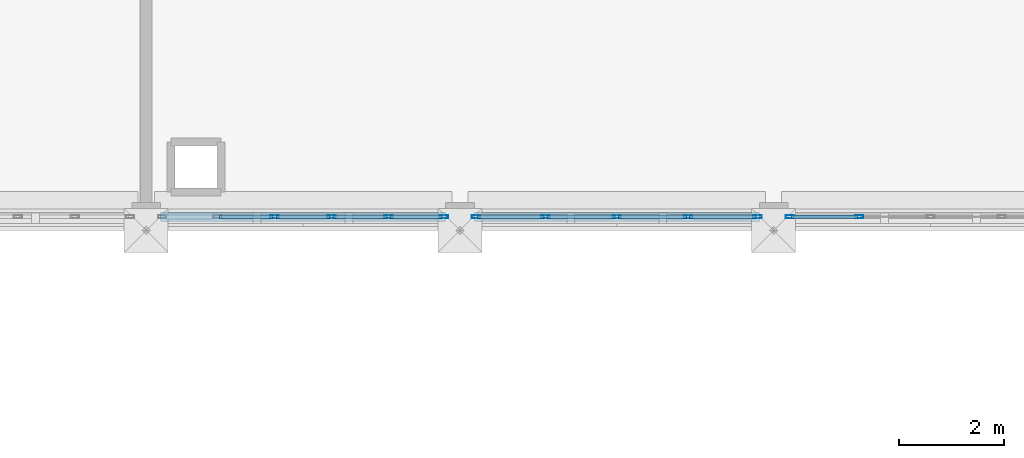
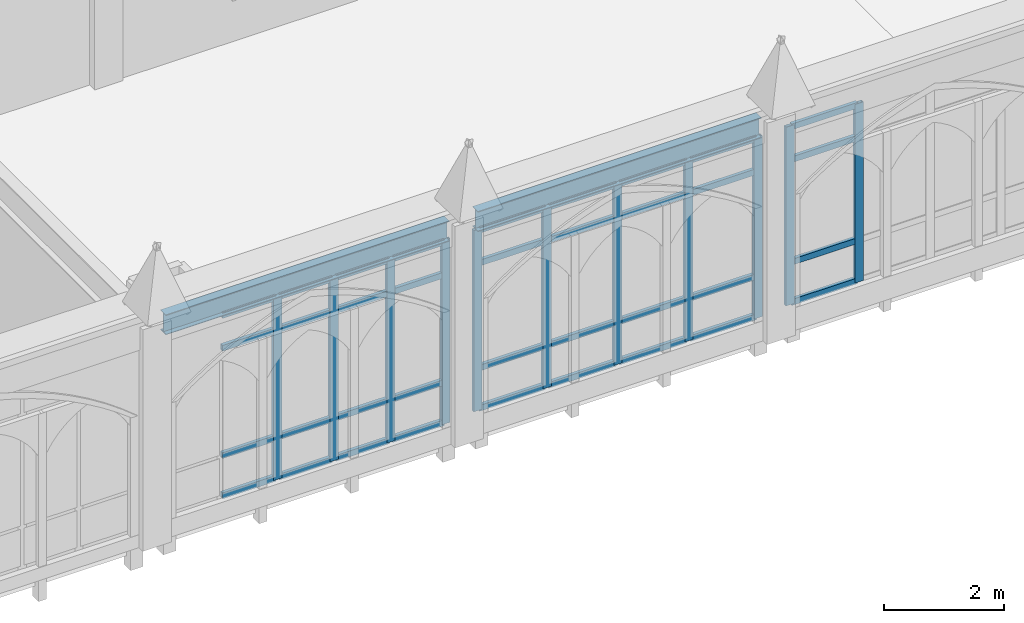
# One storey, part 52 of 108: 47 members, 2 beams, 3 elements without a shape of their own.
"""IFC4 building model written with IfcOpenShell, lengths in metres."""

from ifc_helpers import new_model, si_unit, direction, frame, origin, origin_2d, place, context, subcontext, project, spatial, hollow_rectangle, i_section, extrude, material, layer, layer_set, material_profile, profile_set, type_object, element, aggregate, save


model = new_model("IFC4")

# Units and contexts
model_context = context("Model", 3, precision=1e-05, world=origin(), true_north=direction((0.0, 1.0)))
body_context = subcontext(model_context, "Body", "Model", "MODEL_VIEW")
ifc_project = project(units=[si_unit("LENGTHUNIT", "METRE"), si_unit("AREAUNIT", "SQUARE_METRE"), si_unit("VOLUMEUNIT", "CUBIC_METRE"), si_unit("PLANEANGLEUNIT", "RADIAN"), si_unit("MASSUNIT", "GRAM", prefix="KILO")], contexts=[model_context])

# Site, building, storey
site_placement = place(None, origin())
site = spatial("IfcSite", under=ifc_project, at=site_placement, CompositionType="ELEMENT")
building_placement = place(site_placement, origin())
building = spatial("IfcBuilding", under=site, at=building_placement, Name="Cumevento Cable Car Station", CompositionType="ELEMENT")
storey_placement = place(building_placement, frame((0.0, 0.0, 13.5)))
storey = spatial("IfcBuildingStorey", under=building, at=storey_placement, Name="L04", CompositionType="ELEMENT", Elevation=13.5)

# Curtain wall, members
ifc_material_1 = material(Name="Anodised Bronze Aluminium AW-6063-T6", Category="aluminium")
ifc_layer_1 = layer(ifc_material_1, 0.18408203125)
ifc_layer_set_1 = layer_set([ifc_layer_1], Name="Anodised Bronze Aluminium AW-6063-T6")
curtain_wall_type_1 = type_object("IfcCurtainWallType", Name="Lancet Curtain Wall CW-05 1210", PredefinedType="NOTDEFINED", material=ifc_layer_set_1)
curtain_wall_1_placement = place(storey_placement, origin())
curtain_wall_1 = element("IfcCurtainWall", 1, at=curtain_wall_1_placement, inside=storey, type_object=curtain_wall_type_1, Name="Lancet Curtain Wall CW-05 L04 #180", PredefinedType="NOTDEFINED")
ifc_material_2 = material(Name="Anodised Bronze Aluminium AW-6063-T6", Category="aluminium")
ifc_material_profile_1 = material_profile(ifc_material_2, hollow_rectangle(XDim=0.06494140625, YDim=0.159912109375, WallThickness=0.00390625, at=origin_2d()), Name="ALUM65x160x4")
ifc_profile_set_1 = profile_set([ifc_material_profile_1], Name="Anodised Bronze Aluminium AW-6063-T6")
member_type_1 = type_object("IfcMemberType", Name="Curtain Mullion CWM-01 ALUM65x160x4", PredefinedType="MULLION", material=ifc_profile_set_1)
member_1_placement = place(storey_placement, frame((141.6923828125, 33.0, 0.360107421875), z_axis=(0.0, 0.0, 1.0), x_axis=(0.0, -1.0, 0.0)))
member_1 = element("IfcMember", 2, at=member_1_placement, type_object=member_type_1, Name="CW-05 mullion 1", PredefinedType="MULLION", context=body_context, shape_type="SweptSolid", body=[
    extrude(hollow_rectangle(XDim=0.06494140625, YDim=0.159912109375, WallThickness=0.00390625, at=origin_2d()), origin(), (0.0, 0.0, 1.0), 3.73291015625),
])
member_2_placement = place(storey_placement, frame((140.635009765625, 33.0, 0.360107421875), z_axis=(0.0, 0.0, 1.0), x_axis=(0.0, -1.0, 0.0)))
member_2 = element("IfcMember", 3, at=member_2_placement, type_object=member_type_1, Name="CW-05 mullion 2", PredefinedType="MULLION", context=body_context, shape_type="SweptSolid", body=[
    extrude(hollow_rectangle(XDim=0.06494140625, YDim=0.159912109375, WallThickness=0.00390625, at=origin_2d()), origin(), (0.0, 0.0, 1.0), 3.73291015625),
])
member_3_placement = place(storey_placement, frame((139.544921875, 33.0, 0.360107421875), z_axis=(0.0, 0.0, 1.0), x_axis=(0.0, -1.0, 0.0)))
member_3 = element("IfcMember", 4, at=member_3_placement, type_object=member_type_1, Name="CW-05 mullion 3", PredefinedType="MULLION", context=body_context, shape_type="SweptSolid", body=[
    extrude(hollow_rectangle(XDim=0.06494140625, YDim=0.159912109375, WallThickness=0.00390625, at=origin_2d()), origin(), (0.0, 0.0, 1.0), 3.73291015625),
])
member_4_placement = place(storey_placement, frame((138.455078125, 33.0, 0.360107421875), z_axis=(0.0, 0.0, 1.0), x_axis=(0.0, -1.0, 0.0)))
member_4 = element("IfcMember", 5, at=member_4_placement, type_object=member_type_1, Name="CW-05 mullion 4", PredefinedType="MULLION", context=body_context, shape_type="SweptSolid", body=[
    extrude(hollow_rectangle(XDim=0.06494140625, YDim=0.159912109375, WallThickness=0.00390625, at=origin_2d()), origin(), (0.0, 0.0, 1.0), 3.73291015625),
])

ifc_material_3 = material(Name="Anodised Bronze Aluminium AW-6063-T6", Category="aluminium")
ifc_layer_2 = layer(ifc_material_3, 0.18994140625)
ifc_layer_set_2 = layer_set([ifc_layer_2], Name="Anodised Bronze Aluminium AW-6063-T6")
curtain_wall_type_2 = type_object("IfcCurtainWallType", Name="Lancet Curtain Wall CW-06 1250", PredefinedType="NOTDEFINED", material=ifc_layer_set_2)
curtain_wall_2_placement = place(storey_placement, origin())
curtain_wall_2 = element("IfcCurtainWall", 6, at=curtain_wall_2_placement, inside=storey, type_object=curtain_wall_type_2, Name="Lancet Curtain Wall CW-06 L04 #181", PredefinedType="NOTDEFINED")
member_5_placement = place(storey_placement, frame((147.6923828125, 33.0, 0.409912109375), z_axis=(0.0, 0.0, 1.0), x_axis=(0.0, -1.0, 0.0)))
member_5 = element("IfcMember", 7, at=member_5_placement, type_object=member_type_1, Name="CW-06 mullion 1", PredefinedType="MULLION", context=body_context, shape_type="SweptSolid", body=[
    extrude(hollow_rectangle(XDim=0.06494140625, YDim=0.159912109375, WallThickness=0.00390625, at=origin_2d()), origin(), (0.0, 0.0, 1.0), 3.68310546875),
])
member_6_placement = place(storey_placement, frame((146.362548828125, 33.0, 0.409912109375), z_axis=(0.0, 0.0, 1.0), x_axis=(0.0, -1.0, 0.0)))
member_6 = element("IfcMember", 8, at=member_6_placement, type_object=member_type_1, Name="CW-06 mullion 2", PredefinedType="MULLION", context=body_context, shape_type="SweptSolid", body=[
    extrude(hollow_rectangle(XDim=0.06494140625, YDim=0.159912109375, WallThickness=0.00390625, at=origin_2d()), origin(), (0.0, 0.0, 1.0), 3.68310546875),
])
member_7_placement = place(storey_placement, frame((145.0, 33.0, 0.409912109375), z_axis=(0.0, 0.0, 1.0), x_axis=(0.0, -1.0, 0.0)))
member_7 = element("IfcMember", 9, at=member_7_placement, type_object=member_type_1, Name="CW-06 mullion 3", PredefinedType="MULLION", context=body_context, shape_type="SweptSolid", body=[
    extrude(hollow_rectangle(XDim=0.06494140625, YDim=0.159912109375, WallThickness=0.00390625, at=origin_2d()), origin(), (0.0, 0.0, 1.0), 3.68310546875),
])
member_8_placement = place(storey_placement, frame((143.637451171875, 33.0, 0.409912109375), z_axis=(0.0, 0.0, 1.0), x_axis=(0.0, -1.0, 0.0)))
member_8 = element("IfcMember", 10, at=member_8_placement, type_object=member_type_1, Name="CW-06 mullion 4", PredefinedType="MULLION", context=body_context, shape_type="SweptSolid", body=[
    extrude(hollow_rectangle(XDim=0.06494140625, YDim=0.159912109375, WallThickness=0.00390625, at=origin_2d()), origin(), (0.0, 0.0, 1.0), 3.68310546875),
])
member_9_placement = place(storey_placement, frame((142.3076171875, 33.0, 0.409912109375), z_axis=(0.0, 0.0, 1.0), x_axis=(0.0, -1.0, 0.0)))
member_9 = element("IfcMember", 11, at=member_9_placement, type_object=member_type_1, Name="CW-06 mullion 5", PredefinedType="MULLION", context=body_context, shape_type="SweptSolid", body=[
    extrude(hollow_rectangle(XDim=0.06494140625, YDim=0.159912109375, WallThickness=0.00390625, at=origin_2d()), origin(), (0.0, 0.0, 1.0), 3.68310546875),
])

ifc_material_4 = material(Name="Anodised Bronze Aluminium AW-6063-T6", Category="aluminium")
ifc_layer_3 = layer(ifc_material_4, 0.196044921875)
ifc_layer_set_3 = layer_set([ifc_layer_3], Name="Anodised Bronze Aluminium AW-6063-T6")
curtain_wall_type_3 = type_object("IfcCurtainWallType", Name="Lancet Curtain Wall CW-07 1290", PredefinedType="NOTDEFINED", material=ifc_layer_set_3)
curtain_wall_3_placement = place(storey_placement, origin())
curtain_wall_3 = element("IfcCurtainWall", 12, at=curtain_wall_3_placement, inside=storey, type_object=curtain_wall_type_3, Name="Lancet Curtain Wall CW-07 L04 #182", PredefinedType="NOTDEFINED")
member_10_placement = place(storey_placement, frame((149.637451171875, 33.0, 0.4599609375), z_axis=(0.0, 0.0, 1.0), x_axis=(0.0, -1.0, 0.0)))
member_10 = element("IfcMember", 13, at=member_10_placement, type_object=member_type_1, Name="CW-07 mullion 4", PredefinedType="MULLION", context=body_context, shape_type="SweptSolid", body=[
    extrude(hollow_rectangle(XDim=0.06494140625, YDim=0.159912109375, WallThickness=0.00390625, at=origin_2d()), origin(), (0.0, 0.0, 1.0), 3.633056640625),
])
member_11_placement = place(storey_placement, frame((148.3076171875, 33.0, 0.4599609375), z_axis=(0.0, 0.0, 1.0), x_axis=(0.0, -1.0, 0.0)))
member_11 = element("IfcMember", 14, at=member_11_placement, type_object=member_type_1, Name="CW-07 mullion 5", PredefinedType="MULLION", context=body_context, shape_type="SweptSolid", body=[
    extrude(hollow_rectangle(XDim=0.06494140625, YDim=0.159912109375, WallThickness=0.00390625, at=origin_2d()), origin(), (0.0, 0.0, 1.0), 3.633056640625),
])

# Member
ifc_material_5 = material(Name="Anodised Bronze Aluminium AW-6063-T6", Category="aluminium")
ifc_material_profile_2 = material_profile(ifc_material_5, hollow_rectangle(XDim=0.06494140625, YDim=0.1201171875, WallThickness=0.00390625, at=origin_2d()), Name="ALUT65x120x4")
ifc_profile_set_2 = profile_set([ifc_material_profile_2], Name="Anodised Bronze Aluminium AW-6063-T6")
member_type_2 = type_object("IfcMemberType", Name="Curtain Transom CWT-01 ALUT65x120x4", PredefinedType="USERDEFINED", material=ifc_profile_set_2)
member_12_placement = place(storey_placement, frame((141.659912109375, 33.0, 0.392578125), z_axis=(-1.0, 0.0, 0.0), x_axis=(0.0, -1.0, 0.0)))
member_12 = element("IfcMember", 15, at=member_12_placement, type_object=member_type_2, Name="CW-05 transom 1.1", ObjectType="TRANSOM", PredefinedType="USERDEFINED", context=body_context, shape_type="SweptSolid", body=[
    extrude(hollow_rectangle(XDim=0.06494140625, YDim=0.1201171875, WallThickness=0.00390625, at=origin_2d()), origin(), (0.0, 0.0, 1.0), 0.992431640625),
])

member_13_placement = place(storey_placement, frame((141.659912109375, 33.0, 1.2099609375), z_axis=(-1.0, 0.0, 0.0), x_axis=(0.0, -1.0, 0.0)))
member_13 = element("IfcMember", 16, at=member_13_placement, type_object=member_type_2, Name="CW-05 transom 1.2", ObjectType="TRANSOM", PredefinedType="USERDEFINED", context=body_context, shape_type="SweptSolid", body=[
    extrude(hollow_rectangle(XDim=0.06494140625, YDim=0.1201171875, WallThickness=0.00390625, at=origin_2d()), origin(), (0.0, 0.0, 1.0), 0.992431640625),
])

member_14_placement = place(storey_placement, frame((141.659912109375, 33.0, 3.39306640625), z_axis=(-1.0, 0.0, 0.0), x_axis=(0.0, -1.0, 0.0)))
member_14 = element("IfcMember", 17, at=member_14_placement, type_object=member_type_2, Name="CW-05 transom 1.3", ObjectType="TRANSOM", PredefinedType="USERDEFINED", context=body_context, shape_type="SweptSolid", body=[
    extrude(hollow_rectangle(XDim=0.06494140625, YDim=0.1201171875, WallThickness=0.00390625, at=origin_2d()), origin(), (0.0, 0.0, 1.0), 0.992431640625),
])

member_15_placement = place(storey_placement, frame((141.659912109375, 33.0, 4.060546875), z_axis=(-1.0, 0.0, 0.0), x_axis=(0.0, -1.0, 0.0)))
member_15 = element("IfcMember", 18, at=member_15_placement, type_object=member_type_2, Name="CW-05 transom 1.4", ObjectType="TRANSOM", PredefinedType="USERDEFINED", context=body_context, shape_type="SweptSolid", body=[
    extrude(hollow_rectangle(XDim=0.06494140625, YDim=0.1201171875, WallThickness=0.00390625, at=origin_2d()), origin(), (0.0, 0.0, 1.0), 0.992431640625),
])

member_16_placement = place(storey_placement, frame((140.6025390625, 33.0, 0.392578125), z_axis=(-1.0, 0.0, 0.0), x_axis=(0.0, -1.0, 0.0)))
member_16 = element("IfcMember", 19, at=member_16_placement, type_object=member_type_2, Name="CW-05 transom 2.1", ObjectType="TRANSOM", PredefinedType="USERDEFINED", context=body_context, shape_type="SweptSolid", body=[
    extrude(hollow_rectangle(XDim=0.06494140625, YDim=0.1201171875, WallThickness=0.00390625, at=origin_2d()), origin(), (0.0, 0.0, 1.0), 1.025146484375),
])

member_17_placement = place(storey_placement, frame((140.6025390625, 33.0, 1.2099609375), z_axis=(-1.0, 0.0, 0.0), x_axis=(0.0, -1.0, 0.0)))
member_17 = element("IfcMember", 20, at=member_17_placement, type_object=member_type_2, Name="CW-05 transom 2.2", ObjectType="TRANSOM", PredefinedType="USERDEFINED", context=body_context, shape_type="SweptSolid", body=[
    extrude(hollow_rectangle(XDim=0.06494140625, YDim=0.1201171875, WallThickness=0.00390625, at=origin_2d()), origin(), (0.0, 0.0, 1.0), 1.025146484375),
])

member_18_placement = place(storey_placement, frame((140.6025390625, 33.0, 3.39306640625), z_axis=(-1.0, 0.0, 0.0), x_axis=(0.0, -1.0, 0.0)))
member_18 = element("IfcMember", 21, at=member_18_placement, type_object=member_type_2, Name="CW-05 transom 2.3", ObjectType="TRANSOM", PredefinedType="USERDEFINED", context=body_context, shape_type="SweptSolid", body=[
    extrude(hollow_rectangle(XDim=0.06494140625, YDim=0.1201171875, WallThickness=0.00390625, at=origin_2d()), origin(), (0.0, 0.0, 1.0), 1.025146484375),
])

member_19_placement = place(storey_placement, frame((140.6025390625, 33.0, 4.060546875), z_axis=(-1.0, 0.0, 0.0), x_axis=(0.0, -1.0, 0.0)))
member_19 = element("IfcMember", 22, at=member_19_placement, type_object=member_type_2, Name="CW-05 transom 2.4", ObjectType="TRANSOM", PredefinedType="USERDEFINED", context=body_context, shape_type="SweptSolid", body=[
    extrude(hollow_rectangle(XDim=0.06494140625, YDim=0.1201171875, WallThickness=0.00390625, at=origin_2d()), origin(), (0.0, 0.0, 1.0), 1.025146484375),
])

member_20_placement = place(storey_placement, frame((139.512451171875, 33.0, 0.392578125), z_axis=(-1.0, 0.0, 0.0), x_axis=(0.0, -1.0, 0.0)))
member_20 = element("IfcMember", 23, at=member_20_placement, type_object=member_type_2, Name="CW-05 transom 3.1", ObjectType="TRANSOM", PredefinedType="USERDEFINED", context=body_context, shape_type="SweptSolid", body=[
    extrude(hollow_rectangle(XDim=0.06494140625, YDim=0.1201171875, WallThickness=0.00390625, at=origin_2d()), origin(), (0.0, 0.0, 1.0), 1.02490234375),
])

member_21_placement = place(storey_placement, frame((139.512451171875, 33.0, 1.2099609375), z_axis=(-1.0, 0.0, 0.0), x_axis=(0.0, -1.0, 0.0)))
member_21 = element("IfcMember", 24, at=member_21_placement, type_object=member_type_2, Name="CW-05 transom 3.2", ObjectType="TRANSOM", PredefinedType="USERDEFINED", context=body_context, shape_type="SweptSolid", body=[
    extrude(hollow_rectangle(XDim=0.06494140625, YDim=0.1201171875, WallThickness=0.00390625, at=origin_2d()), origin(), (0.0, 0.0, 1.0), 1.02490234375),
])

member_22_placement = place(storey_placement, frame((139.512451171875, 33.0, 3.39306640625), z_axis=(-1.0, 0.0, 0.0), x_axis=(0.0, -1.0, 0.0)))
member_22 = element("IfcMember", 25, at=member_22_placement, type_object=member_type_2, Name="CW-05 transom 3.3", ObjectType="TRANSOM", PredefinedType="USERDEFINED", context=body_context, shape_type="SweptSolid", body=[
    extrude(hollow_rectangle(XDim=0.06494140625, YDim=0.1201171875, WallThickness=0.00390625, at=origin_2d()), origin(), (0.0, 0.0, 1.0), 1.02490234375),
])

member_23_placement = place(storey_placement, frame((139.512451171875, 33.0, 4.060546875), z_axis=(-1.0, 0.0, 0.0), x_axis=(0.0, -1.0, 0.0)))
member_23 = element("IfcMember", 26, at=member_23_placement, type_object=member_type_2, Name="CW-05 transom 3.4", ObjectType="TRANSOM", PredefinedType="USERDEFINED", context=body_context, shape_type="SweptSolid", body=[
    extrude(hollow_rectangle(XDim=0.06494140625, YDim=0.1201171875, WallThickness=0.00390625, at=origin_2d()), origin(), (0.0, 0.0, 1.0), 1.02490234375),
])

member_24_placement = place(storey_placement, frame((138.422607421875, 33.0, 0.392578125), z_axis=(-1.0, 0.0, 0.0), x_axis=(0.0, -1.0, 0.0)))
member_24 = element("IfcMember", 27, at=member_24_placement, type_object=member_type_2, Name="CW-05 transom 4.1", ObjectType="TRANSOM", PredefinedType="USERDEFINED", context=body_context, shape_type="SweptSolid", body=[
    extrude(hollow_rectangle(XDim=0.06494140625, YDim=0.1201171875, WallThickness=0.00390625, at=origin_2d()), origin(), (0.0, 0.0, 1.0), 1.025146484375),
])

member_25_placement = place(storey_placement, frame((138.422607421875, 33.0, 1.2099609375), z_axis=(-1.0, 0.0, 0.0), x_axis=(0.0, -1.0, 0.0)))
member_25 = element("IfcMember", 28, at=member_25_placement, type_object=member_type_2, Name="CW-05 transom 4.2", ObjectType="TRANSOM", PredefinedType="USERDEFINED", context=body_context, shape_type="SweptSolid", body=[
    extrude(hollow_rectangle(XDim=0.06494140625, YDim=0.1201171875, WallThickness=0.00390625, at=origin_2d()), origin(), (0.0, 0.0, 1.0), 1.025146484375),
])

member_26_placement = place(storey_placement, frame((138.422607421875, 33.0, 3.39306640625), z_axis=(-1.0, 0.0, 0.0), x_axis=(0.0, -1.0, 0.0)))
member_26 = element("IfcMember", 29, at=member_26_placement, type_object=member_type_2, Name="CW-05 transom 4.3", ObjectType="TRANSOM", PredefinedType="USERDEFINED", context=body_context, shape_type="SweptSolid", body=[
    extrude(hollow_rectangle(XDim=0.06494140625, YDim=0.1201171875, WallThickness=0.00390625, at=origin_2d()), origin(), (0.0, 0.0, 1.0), 1.025146484375),
])

member_27_placement = place(storey_placement, frame((138.422607421875, 33.0, 4.060546875), z_axis=(-1.0, 0.0, 0.0), x_axis=(0.0, -1.0, 0.0)))
member_27 = element("IfcMember", 30, at=member_27_placement, type_object=member_type_2, Name="CW-05 transom 4.4", ObjectType="TRANSOM", PredefinedType="USERDEFINED", context=body_context, shape_type="SweptSolid", body=[
    extrude(hollow_rectangle(XDim=0.06494140625, YDim=0.1201171875, WallThickness=0.00390625, at=origin_2d()), origin(), (0.0, 0.0, 1.0), 1.025146484375),
])

aggregate(curtain_wall_1, [member_1, member_2, member_3, member_4, member_12, member_13, member_14, member_15, member_16, member_17, member_18, member_19, member_20, member_21, member_22, member_23, member_24, member_25, member_26, member_27])

member_28_placement = place(storey_placement, frame((147.659912109375, 33.0, 0.4423828125), z_axis=(-1.0, 0.0, 0.0), x_axis=(0.0, -1.0, 0.0)))
member_28 = element("IfcMember", 31, at=member_28_placement, type_object=member_type_2, Name="CW-06 transom 1.1", ObjectType="TRANSOM", PredefinedType="USERDEFINED", context=body_context, shape_type="SweptSolid", body=[
    extrude(hollow_rectangle(XDim=0.06494140625, YDim=0.1201171875, WallThickness=0.00390625, at=origin_2d()), origin(), (0.0, 0.0, 1.0), 1.264892578125),
])

member_29_placement = place(storey_placement, frame((147.659912109375, 33.0, 1.260009765625), z_axis=(-1.0, 0.0, 0.0), x_axis=(0.0, -1.0, 0.0)))
member_29 = element("IfcMember", 32, at=member_29_placement, type_object=member_type_2, Name="CW-06 transom 1.2", ObjectType="TRANSOM", PredefinedType="USERDEFINED", context=body_context, shape_type="SweptSolid", body=[
    extrude(hollow_rectangle(XDim=0.06494140625, YDim=0.1201171875, WallThickness=0.00390625, at=origin_2d()), origin(), (0.0, 0.0, 1.0), 1.264892578125),
])

member_30_placement = place(storey_placement, frame((147.659912109375, 33.0, 3.39306640625), z_axis=(-1.0, 0.0, 0.0), x_axis=(0.0, -1.0, 0.0)))
member_30 = element("IfcMember", 33, at=member_30_placement, type_object=member_type_2, Name="CW-06 transom 1.3", ObjectType="TRANSOM", PredefinedType="USERDEFINED", context=body_context, shape_type="SweptSolid", body=[
    extrude(hollow_rectangle(XDim=0.06494140625, YDim=0.1201171875, WallThickness=0.00390625, at=origin_2d()), origin(), (0.0, 0.0, 1.0), 1.264892578125),
])

member_31_placement = place(storey_placement, frame((147.659912109375, 33.0, 4.060546875), z_axis=(-1.0, 0.0, 0.0), x_axis=(0.0, -1.0, 0.0)))
member_31 = element("IfcMember", 34, at=member_31_placement, type_object=member_type_2, Name="CW-06 transom 1.4", ObjectType="TRANSOM", PredefinedType="USERDEFINED", context=body_context, shape_type="SweptSolid", body=[
    extrude(hollow_rectangle(XDim=0.06494140625, YDim=0.1201171875, WallThickness=0.00390625, at=origin_2d()), origin(), (0.0, 0.0, 1.0), 1.264892578125),
])

member_32_placement = place(storey_placement, frame((146.330078125, 33.0, 0.4423828125), z_axis=(-1.0, 0.0, 0.0), x_axis=(0.0, -1.0, 0.0)))
member_32 = element("IfcMember", 35, at=member_32_placement, type_object=member_type_2, Name="CW-06 transom 2.1", ObjectType="TRANSOM", PredefinedType="USERDEFINED", context=body_context, shape_type="SweptSolid", body=[
    extrude(hollow_rectangle(XDim=0.06494140625, YDim=0.1201171875, WallThickness=0.00390625, at=origin_2d()), origin(), (0.0, 0.0, 1.0), 1.297607421875),
])

member_33_placement = place(storey_placement, frame((146.330078125, 33.0, 1.260009765625), z_axis=(-1.0, 0.0, 0.0), x_axis=(0.0, -1.0, 0.0)))
member_33 = element("IfcMember", 36, at=member_33_placement, type_object=member_type_2, Name="CW-06 transom 2.2", ObjectType="TRANSOM", PredefinedType="USERDEFINED", context=body_context, shape_type="SweptSolid", body=[
    extrude(hollow_rectangle(XDim=0.06494140625, YDim=0.1201171875, WallThickness=0.00390625, at=origin_2d()), origin(), (0.0, 0.0, 1.0), 1.297607421875),
])

member_34_placement = place(storey_placement, frame((146.330078125, 33.0, 3.39306640625), z_axis=(-1.0, 0.0, 0.0), x_axis=(0.0, -1.0, 0.0)))
member_34 = element("IfcMember", 37, at=member_34_placement, type_object=member_type_2, Name="CW-06 transom 2.3", ObjectType="TRANSOM", PredefinedType="USERDEFINED", context=body_context, shape_type="SweptSolid", body=[
    extrude(hollow_rectangle(XDim=0.06494140625, YDim=0.1201171875, WallThickness=0.00390625, at=origin_2d()), origin(), (0.0, 0.0, 1.0), 1.297607421875),
])

member_35_placement = place(storey_placement, frame((146.330078125, 33.0, 4.060546875), z_axis=(-1.0, 0.0, 0.0), x_axis=(0.0, -1.0, 0.0)))
member_35 = element("IfcMember", 38, at=member_35_placement, type_object=member_type_2, Name="CW-06 transom 2.4", ObjectType="TRANSOM", PredefinedType="USERDEFINED", context=body_context, shape_type="SweptSolid", body=[
    extrude(hollow_rectangle(XDim=0.06494140625, YDim=0.1201171875, WallThickness=0.00390625, at=origin_2d()), origin(), (0.0, 0.0, 1.0), 1.297607421875),
])

member_36_placement = place(storey_placement, frame((144.967529296875, 33.0, 0.4423828125), z_axis=(-1.0, 0.0, 0.0), x_axis=(0.0, -1.0, 0.0)))
member_36 = element("IfcMember", 39, at=member_36_placement, type_object=member_type_2, Name="CW-06 transom 3.1", ObjectType="TRANSOM", PredefinedType="USERDEFINED", context=body_context, shape_type="SweptSolid", body=[
    extrude(hollow_rectangle(XDim=0.06494140625, YDim=0.1201171875, WallThickness=0.00390625, at=origin_2d()), origin(), (0.0, 0.0, 1.0), 1.297607421875),
])

member_37_placement = place(storey_placement, frame((144.967529296875, 33.0, 1.260009765625), z_axis=(-1.0, 0.0, 0.0), x_axis=(0.0, -1.0, 0.0)))
member_37 = element("IfcMember", 40, at=member_37_placement, type_object=member_type_2, Name="CW-06 transom 3.2", ObjectType="TRANSOM", PredefinedType="USERDEFINED", context=body_context, shape_type="SweptSolid", body=[
    extrude(hollow_rectangle(XDim=0.06494140625, YDim=0.1201171875, WallThickness=0.00390625, at=origin_2d()), origin(), (0.0, 0.0, 1.0), 1.297607421875),
])

member_38_placement = place(storey_placement, frame((144.967529296875, 33.0, 3.39306640625), z_axis=(-1.0, 0.0, 0.0), x_axis=(0.0, -1.0, 0.0)))
member_38 = element("IfcMember", 41, at=member_38_placement, type_object=member_type_2, Name="CW-06 transom 3.3", ObjectType="TRANSOM", PredefinedType="USERDEFINED", context=body_context, shape_type="SweptSolid", body=[
    extrude(hollow_rectangle(XDim=0.06494140625, YDim=0.1201171875, WallThickness=0.00390625, at=origin_2d()), origin(), (0.0, 0.0, 1.0), 1.297607421875),
])

member_39_placement = place(storey_placement, frame((144.967529296875, 33.0, 4.060546875), z_axis=(-1.0, 0.0, 0.0), x_axis=(0.0, -1.0, 0.0)))
member_39 = element("IfcMember", 42, at=member_39_placement, type_object=member_type_2, Name="CW-06 transom 3.4", ObjectType="TRANSOM", PredefinedType="USERDEFINED", context=body_context, shape_type="SweptSolid", body=[
    extrude(hollow_rectangle(XDim=0.06494140625, YDim=0.1201171875, WallThickness=0.00390625, at=origin_2d()), origin(), (0.0, 0.0, 1.0), 1.297607421875),
])

member_40_placement = place(storey_placement, frame((143.60498046875, 33.0, 0.4423828125), z_axis=(-1.0, 0.0, 0.0), x_axis=(0.0, -1.0, 0.0)))
member_40 = element("IfcMember", 43, at=member_40_placement, type_object=member_type_2, Name="CW-06 transom 4.1", ObjectType="TRANSOM", PredefinedType="USERDEFINED", context=body_context, shape_type="SweptSolid", body=[
    extrude(hollow_rectangle(XDim=0.06494140625, YDim=0.1201171875, WallThickness=0.00390625, at=origin_2d()), origin(), (0.0, 0.0, 1.0), 1.264892578125),
])

member_41_placement = place(storey_placement, frame((143.60498046875, 33.0, 1.260009765625), z_axis=(-1.0, 0.0, 0.0), x_axis=(0.0, -1.0, 0.0)))
member_41 = element("IfcMember", 44, at=member_41_placement, type_object=member_type_2, Name="CW-06 transom 4.2", ObjectType="TRANSOM", PredefinedType="USERDEFINED", context=body_context, shape_type="SweptSolid", body=[
    extrude(hollow_rectangle(XDim=0.06494140625, YDim=0.1201171875, WallThickness=0.00390625, at=origin_2d()), origin(), (0.0, 0.0, 1.0), 1.264892578125),
])

member_42_placement = place(storey_placement, frame((143.60498046875, 33.0, 3.39306640625), z_axis=(-1.0, 0.0, 0.0), x_axis=(0.0, -1.0, 0.0)))
member_42 = element("IfcMember", 45, at=member_42_placement, type_object=member_type_2, Name="CW-06 transom 4.3", ObjectType="TRANSOM", PredefinedType="USERDEFINED", context=body_context, shape_type="SweptSolid", body=[
    extrude(hollow_rectangle(XDim=0.06494140625, YDim=0.1201171875, WallThickness=0.00390625, at=origin_2d()), origin(), (0.0, 0.0, 1.0), 1.264892578125),
])

member_43_placement = place(storey_placement, frame((143.60498046875, 33.0, 4.060546875), z_axis=(-1.0, 0.0, 0.0), x_axis=(0.0, -1.0, 0.0)))
member_43 = element("IfcMember", 46, at=member_43_placement, type_object=member_type_2, Name="CW-06 transom 4.4", ObjectType="TRANSOM", PredefinedType="USERDEFINED", context=body_context, shape_type="SweptSolid", body=[
    extrude(hollow_rectangle(XDim=0.06494140625, YDim=0.1201171875, WallThickness=0.00390625, at=origin_2d()), origin(), (0.0, 0.0, 1.0), 1.264892578125),
])

aggregate(curtain_wall_2, [member_5, member_6, member_7, member_8, member_9, member_28, member_29, member_30, member_31, member_32, member_33, member_34, member_35, member_36, member_37, member_38, member_39, member_40, member_41, member_42, member_43])

member_44_placement = place(storey_placement, frame((149.60498046875, 33.0, 0.492431640625), z_axis=(-1.0, 0.0, 0.0), x_axis=(0.0, -1.0, 0.0)))
member_44 = element("IfcMember", 47, at=member_44_placement, type_object=member_type_2, Name="CW-07 transom 4.1", ObjectType="TRANSOM", PredefinedType="USERDEFINED", context=body_context, shape_type="SweptSolid", body=[
    extrude(hollow_rectangle(XDim=0.06494140625, YDim=0.1201171875, WallThickness=0.00390625, at=origin_2d()), origin(), (0.0, 0.0, 1.0), 1.264892578125),
])

member_45_placement = place(storey_placement, frame((149.60498046875, 33.0, 1.31005859375), z_axis=(-1.0, 0.0, 0.0), x_axis=(0.0, -1.0, 0.0)))
member_45 = element("IfcMember", 48, at=member_45_placement, type_object=member_type_2, Name="CW-07 transom 4.2", ObjectType="TRANSOM", PredefinedType="USERDEFINED", context=body_context, shape_type="SweptSolid", body=[
    extrude(hollow_rectangle(XDim=0.06494140625, YDim=0.1201171875, WallThickness=0.00390625, at=origin_2d()), origin(), (0.0, 0.0, 1.0), 1.264892578125),
])

member_46_placement = place(storey_placement, frame((149.60498046875, 33.0, 3.39306640625), z_axis=(-1.0, 0.0, 0.0), x_axis=(0.0, -1.0, 0.0)))
member_46 = element("IfcMember", 49, at=member_46_placement, type_object=member_type_2, Name="CW-07 transom 4.3", ObjectType="TRANSOM", PredefinedType="USERDEFINED", context=body_context, shape_type="SweptSolid", body=[
    extrude(hollow_rectangle(XDim=0.06494140625, YDim=0.1201171875, WallThickness=0.00390625, at=origin_2d()), origin(), (0.0, 0.0, 1.0), 1.264892578125),
])

member_47_placement = place(storey_placement, frame((149.60498046875, 33.0, 4.060546875), z_axis=(-1.0, 0.0, 0.0), x_axis=(0.0, -1.0, 0.0)))
member_47 = element("IfcMember", 50, at=member_47_placement, type_object=member_type_2, Name="CW-07 transom 4.4", ObjectType="TRANSOM", PredefinedType="USERDEFINED", context=body_context, shape_type="SweptSolid", body=[
    extrude(hollow_rectangle(XDim=0.06494140625, YDim=0.1201171875, WallThickness=0.00390625, at=origin_2d()), origin(), (0.0, 0.0, 1.0), 1.264892578125),
])

aggregate(curtain_wall_3, [member_10, member_11, member_44, member_45, member_46, member_47])

# Beams
ifc_material_6 = material(Name="Steel ASTM A572 Grade 50", Category="steel")
ifc_material_profile_3 = material_profile(ifc_material_6, i_section(OverallWidth=0.177978515625, OverallDepth=0.406982421875, WebThickness=0.0078125, FlangeThickness=0.0126953125, at=origin_2d()), Name="W410x60.0")
ifc_profile_set_3 = profile_set([ifc_material_profile_3], Name="Steel ASTM A572 Grade 50")
beam_type = type_object("IfcBeamType", Name="Structural Spandrel SP-01 W410x60.0", PredefinedType="SPANDREL", material=ifc_profile_set_3)
for number, where, z_axis, x_axis, name in (
    (51, (136.27490234375, 33.0, 4.29638671875), (1.0, 0.0, 0.0), (0.0, 1.0, 0.0), "Beam SP-01 L04 #1470"),
    (52, (142.27490234375, 33.0, 4.29638671875), (1.0, 0.0, 0.0), (0.0, 1.0, 0.0), "Beam SP-01 L04 #1471"),
):
    element("IfcBeam", number, at=place(storey_placement, frame(where, z_axis=z_axis, x_axis=x_axis)), inside=storey, type_object=beam_type, Name=name, PredefinedType="SPANDREL", context=body_context, shape_type="SweptSolid", body=[
        extrude(i_section(OverallWidth=0.177978515625, OverallDepth=0.406982421875, WebThickness=0.0078125, FlangeThickness=0.0126953125, at=origin_2d()), origin(), (0.0, 0.0, 1.0), 5.4501953125),
    ])

save(model, "model.ifc")
